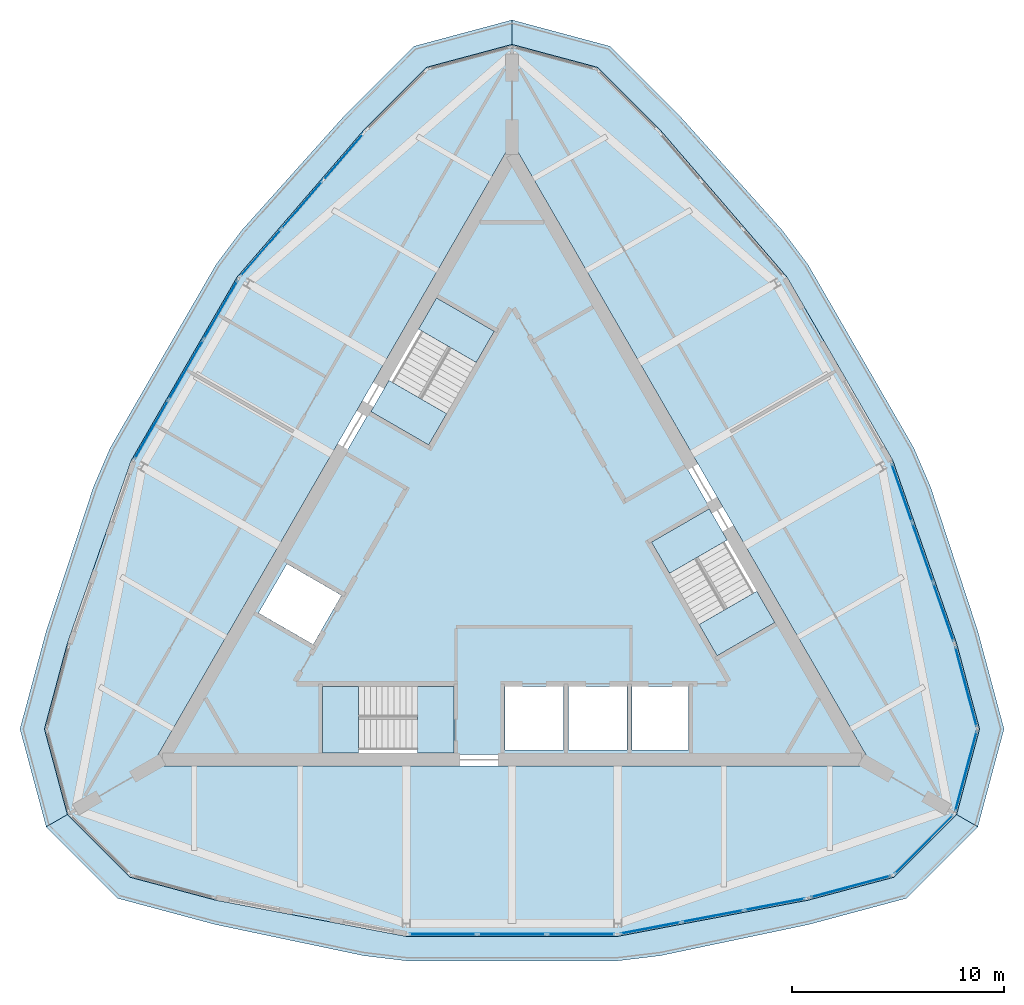
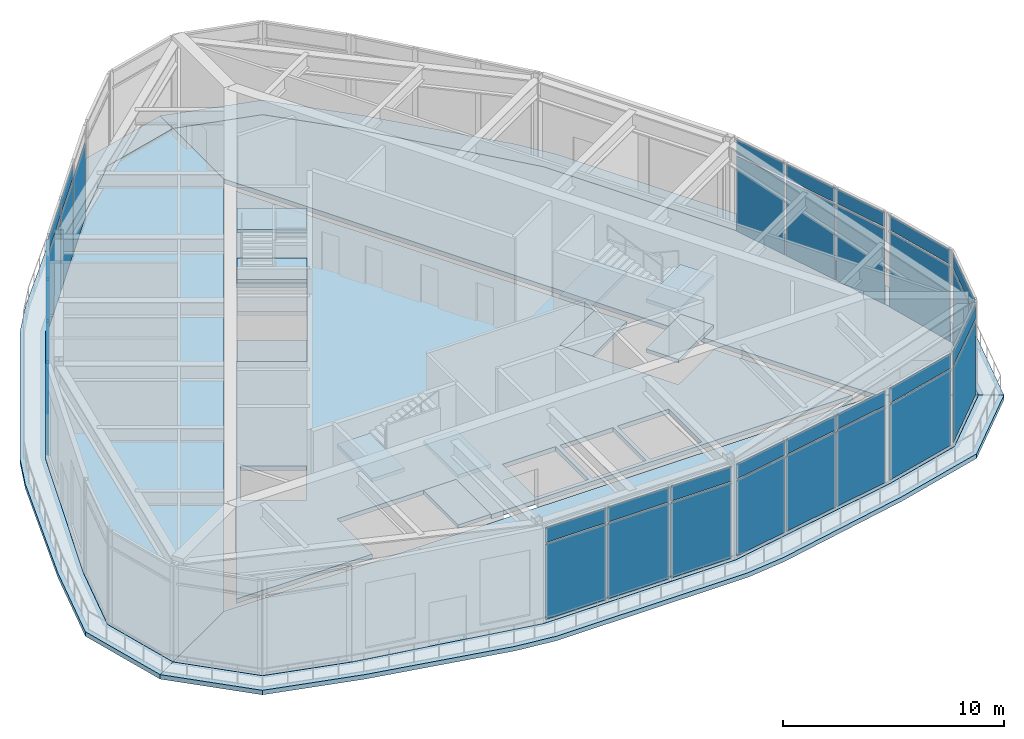
# One storey, part 4 of 9: 37 plates, 18 slabs, 12 elements without a shape of their own.
"""IFC4 building model written with IfcOpenShell, lengths in metres."""

from ifc_helpers import new_model, si_unit, direction, frame, origin, origin_2d, place, context, subcontext, project, spatial, polyline, rectangle, outline, extrude, material, layer, layer_set, type_object, element, aggregate, save


model = new_model("IFC4")

# Units and contexts
model_context = context("Model", 3, precision=1e-05, world=origin(), true_north=direction((0.0, 1.0)))
body_context = subcontext(model_context, "Body", "Model", "MODEL_VIEW")
ifc_project = project(units=[si_unit("LENGTHUNIT", "METRE"), si_unit("AREAUNIT", "SQUARE_METRE"), si_unit("VOLUMEUNIT", "CUBIC_METRE"), si_unit("PLANEANGLEUNIT", "RADIAN"), si_unit("MASSUNIT", "GRAM", prefix="KILO")], contexts=[model_context])

# Site, building, storey
site_placement = place(None, origin())
site = spatial("IfcSite", under=ifc_project, at=site_placement, CompositionType="ELEMENT")
building_placement = place(site_placement, origin())
building = spatial("IfcBuilding", under=site, at=building_placement, Name="Trikona Tower", CompositionType="ELEMENT")
storey_placement = place(building_placement, frame((0.0, 0.0, 281.300048828125)))
storey = spatial("IfcBuildingStorey", under=building, at=storey_placement, Name="L74", CompositionType="ELEMENT", Elevation=281.300048828125)

# Slabs
ifc_material_1 = material(Name="Concrete f'c 5000 psi lightweight on composite steel deck", Category="concrete")
ifc_layer_1 = layer(ifc_material_1, 0.25)
ifc_layer_set_1 = layer_set([ifc_layer_1], Name="Composite floor slab 250")
slab_type_1 = type_object("IfcSlabType", Name="Composite floor slab 250", PredefinedType="FLOOR", material=ifc_layer_set_1)
slab_1_placement = place(storey_placement, frame((0.0, 0.0, -0.25)))
element("IfcSlab", 1, at=slab_1_placement, inside=storey, type_object=slab_type_1, Name="Floor slab L74 core", PredefinedType="FLOOR", context=body_context, shape_type="SweptSolid", body=[
    extrude(outline(polyline([(-16.06689453125, -9.2763671875), (-8.949951171875, -9.2763671875), (-8.949951171875, -6.076416015625), (-2.75, -6.076416015625), (-2.75, -9.2763671875), (16.06689453125, -9.2763671875), (12.45849609375, -3.026123046875), (9.687255859375, -4.626220703125), (6.587158203125, 0.7431640625), (9.3583984375, 2.34326171875), (0.0, 18.552490234375), (-3.6083984375, 12.302490234375), (-0.837158203125, 10.702392578125), (-3.937255859375, 5.3330078125), (-6.70849609375, 6.93310546875), (-16.06689453125, -9.2763671875)]), holes=[polyline([(5.659912109375, -9.06640625), (8.340087890625, -9.06640625), (8.340087890625, -6.086181640625), (5.659912109375, -6.086181640625), (5.659912109375, -9.06640625)]), polyline([(5.43994140625, -9.06640625), (5.43994140625, -6.086181640625), (2.659912109375, -6.086181640625), (2.659912109375, -9.06640625), (5.43994140625, -9.06640625)]), polyline([(2.43994140625, -6.086181640625), (-0.340087890625, -6.086181640625), (-0.340087890625, -9.06640625), (2.43994140625, -9.06640625), (2.43994140625, -6.086181640625)]), polyline([(-11.9716796875, -2.602783203125), (-9.390869140625, -4.093017578125), (-8.05078125, -1.77197265625), (-10.631591796875, -0.281982421875), (-11.9716796875, -2.602783203125)])]), origin(), (0.0, 0.0, 1.0), 0.25),
])
slab_2_placement = place(storey_placement, frame((0.0, 0.0, -0.25)))
element("IfcSlab", 2, at=slab_2_placement, inside=storey, type_object=slab_type_1, Name="Floor slab L74 south", PredefinedType="FLOOR", context=body_context, shape_type="SweptSolid", body=[
    extrude(outline(polyline([(21.0, -12.12451171875), (17.01953125, -9.826416015625), (-17.01953125, -9.826416015625), (-21.0, -12.12451171875), (-18.04150390625, -15.0830078125), (-14.0, -16.165771484375), (-5.0, -17.875732421875), (5.0, -17.875732421875), (14.0, -16.165771484375), (18.04150390625, -15.0830078125), (21.0, -12.12451171875)])), origin(), (0.0, 0.0, 1.0), 0.25),
])
slab_3_placement = place(storey_placement, frame((0.0, 0.0, -0.25)))
element("IfcSlab", 3, at=slab_3_placement, inside=storey, type_object=slab_type_1, Name="Floor slab L74 north-east", PredefinedType="FLOOR", context=body_context, shape_type="SweptSolid", body=[
    extrude(outline(polyline([(4.04150390625, 23.165771484375), (0.0, 24.248779296875), (0.0, 19.652587890625), (17.01953125, -9.826416015625), (21.0, -12.12451171875), (22.0830078125, -8.0830078125), (21.0, -4.04150390625), (17.98095703125, 4.60791015625), (12.98095703125, 13.26806640625), (7.0, 20.207275390625), (4.04150390625, 23.165771484375)])), origin(), (0.0, 0.0, 1.0), 0.25),
])
slab_4_placement = place(storey_placement, frame((0.0, 0.0, -0.25)))
element("IfcSlab", 4, at=slab_4_placement, inside=storey, type_object=slab_type_1, Name="Floor slab L74 north-west", PredefinedType="FLOOR", context=body_context, shape_type="SweptSolid", body=[
    extrude(outline(polyline([(0.0, 19.652587890625), (0.0, 24.248779296875), (-4.04150390625, 23.165771484375), (-7.0, 20.207275390625), (-12.98095703125, 13.26806640625), (-17.98095703125, 4.60791015625), (-21.0, -4.04150390625), (-22.0830078125, -8.0830078125), (-21.0, -12.12451171875), (-17.01953125, -9.826416015625), (0.0, 19.652587890625)])), origin(), (0.0, 0.0, 1.0), 0.25),
])

# Curtain wall, plates
ifc_material_2 = material(Name="Aluminium curtain wall system", Category="aluminium")
curtain_wall_type = type_object("IfcCurtainWallType", Name="Curtain wall OB", PredefinedType="NOTDEFINED", material=ifc_material_2)
curtain_wall_1_placement = place(storey_placement, origin())
curtain_wall_1 = element("IfcCurtainWall", 5, at=curtain_wall_1_placement, inside=storey, type_object=curtain_wall_type, Name="Curtain wall OB L74", PredefinedType="NOTDEFINED")
ifc_material_3 = material(Name="Clear insulating glass unit", Category="glass")
ifc_layer_2 = layer(ifc_material_3, 0.028076171875)
ifc_layer_set_2 = layer_set([ifc_layer_2], Name="Glass panel OB")
plate_type = type_object("IfcPlateType", Name="Glass panel OB", PredefinedType="CURTAIN_PANEL", material=ifc_layer_set_2)
plate_1_placement = place(storey_placement, frame((-3.268310546875, -17.77587890625, 0.10009765625), z_axis=(0.0, 0.0, 1.0), x_axis=(1.0, 0.0, 0.0)))
plate_1 = element("IfcPlate", 6, at=plate_1_placement, type_object=plate_type, Name="CW-OB panel 1.1", PredefinedType="CURTAIN_PANEL", context=body_context, shape_type="SweptSolid", body=[
    extrude(rectangle(XDim=3.143310546875, YDim=0.028076171875, at=origin_2d()), origin(), (0.0, 0.0, 1.0), 4.14990234375),
])
plate_2_placement = place(storey_placement, frame((-3.268310546875, -17.77587890625, 4.35009765625), z_axis=(0.0, 0.0, 1.0), x_axis=(1.0, 0.0, 0.0)))
plate_2 = element("IfcPlate", 7, at=plate_2_placement, type_object=plate_type, Name="CW-OB panel 1.2", PredefinedType="CURTAIN_PANEL", context=body_context, shape_type="SweptSolid", body=[
    extrude(rectangle(XDim=3.143310546875, YDim=0.028076171875, at=origin_2d()), origin(), (0.0, 0.0, 1.0), 0.800048828125),
])
plate_3_placement = place(storey_placement, frame((0.0, -17.77587890625, 0.10009765625), z_axis=(0.0, 0.0, 1.0), x_axis=(1.0, 0.0, 0.0)))
plate_3 = element("IfcPlate", 8, at=plate_3_placement, type_object=plate_type, Name="CW-OB panel 2.1", PredefinedType="CURTAIN_PANEL", context=body_context, shape_type="SweptSolid", body=[
    extrude(rectangle(XDim=3.193359375, YDim=0.028076171875, at=origin_2d()), origin(), (0.0, 0.0, 1.0), 4.14990234375),
])
plate_4_placement = place(storey_placement, frame((0.0, -17.77587890625, 4.35009765625), z_axis=(0.0, 0.0, 1.0), x_axis=(1.0, 0.0, 0.0)))
plate_4 = element("IfcPlate", 9, at=plate_4_placement, type_object=plate_type, Name="CW-OB panel 2.2", PredefinedType="CURTAIN_PANEL", context=body_context, shape_type="SweptSolid", body=[
    extrude(rectangle(XDim=3.193359375, YDim=0.028076171875, at=origin_2d()), origin(), (0.0, 0.0, 1.0), 0.800048828125),
])
plate_5_placement = place(storey_placement, frame((3.268310546875, -17.77587890625, 0.10009765625), z_axis=(0.0, 0.0, 1.0), x_axis=(1.0, 0.0, 0.0)))
plate_5 = element("IfcPlate", 10, at=plate_5_placement, type_object=plate_type, Name="CW-OB panel 3.1", PredefinedType="CURTAIN_PANEL", context=body_context, shape_type="SweptSolid", body=[
    extrude(rectangle(XDim=3.143310546875, YDim=0.028076171875, at=origin_2d()), origin(), (0.0, 0.0, 1.0), 4.14990234375),
])
plate_6_placement = place(storey_placement, frame((3.268310546875, -17.77587890625, 4.35009765625), z_axis=(0.0, 0.0, 1.0), x_axis=(1.0, 0.0, 0.0)))
plate_6 = element("IfcPlate", 11, at=plate_6_placement, type_object=plate_type, Name="CW-OB panel 3.2", PredefinedType="CURTAIN_PANEL", context=body_context, shape_type="SweptSolid", body=[
    extrude(rectangle(XDim=3.143310546875, YDim=0.028076171875, at=origin_2d()), origin(), (0.0, 0.0, 1.0), 0.800048828125),
])
aggregate(curtain_wall_1, [plate_1, plate_2, plate_3, plate_4, plate_5, plate_6])

curtain_wall_2_placement = place(storey_placement, origin())
curtain_wall_2 = element("IfcCurtainWall", 12, at=curtain_wall_2_placement, inside=storey, type_object=curtain_wall_type, Name="Curtain wall OB L74", PredefinedType="NOTDEFINED")
plate_7_placement = place(storey_placement, frame((6.545166015625, -17.48046875, 0.10009765625), z_axis=(0.0, 0.0, 1.0), x_axis=(0.982424431419, 0.186660752571, 0.0)))
plate_7 = element("IfcPlate", 13, at=plate_7_placement, type_object=plate_type, Name="CW-OB panel 1.1", PredefinedType="CURTAIN_PANEL", context=body_context, shape_type="SweptSolid", body=[
    extrude(rectangle(XDim=2.86376953125, YDim=0.028076171875, at=origin_2d()), origin(), (0.0, 0.0, 1.0), 4.14990234375),
])
plate_8_placement = place(storey_placement, frame((6.545166015625, -17.48046875, 4.35009765625), z_axis=(0.0, 0.0, 1.0), x_axis=(0.982424431419, 0.186660752571, 0.0)))
plate_8 = element("IfcPlate", 14, at=plate_8_placement, type_object=plate_type, Name="CW-OB panel 1.2", PredefinedType="CURTAIN_PANEL", context=body_context, shape_type="SweptSolid", body=[
    extrude(rectangle(XDim=2.86376953125, YDim=0.028076171875, at=origin_2d()), origin(), (0.0, 0.0, 1.0), 0.800048828125),
])
plate_9_placement = place(storey_placement, frame((9.4814453125, -16.922607421875, 0.10009765625), z_axis=(0.0, 0.0, 1.0), x_axis=(0.982424431419, 0.186660752571, 0.0)))
plate_9 = element("IfcPlate", 15, at=plate_9_placement, type_object=plate_type, Name="CW-OB panel 2.1", PredefinedType="CURTAIN_PANEL", context=body_context, shape_type="SweptSolid", body=[
    extrude(rectangle(XDim=2.91357421875, YDim=0.028076171875, at=origin_2d()), origin(), (0.0, 0.0, 1.0), 4.14990234375),
])
plate_10_placement = place(storey_placement, frame((9.4814453125, -16.922607421875, 4.35009765625), z_axis=(0.0, 0.0, 1.0), x_axis=(0.982424431419, 0.186660752571, 0.0)))
plate_10 = element("IfcPlate", 16, at=plate_10_placement, type_object=plate_type, Name="CW-OB panel 2.2", PredefinedType="CURTAIN_PANEL", context=body_context, shape_type="SweptSolid", body=[
    extrude(rectangle(XDim=2.91357421875, YDim=0.028076171875, at=origin_2d()), origin(), (0.0, 0.0, 1.0), 0.800048828125),
])
plate_11_placement = place(storey_placement, frame((12.41748046875, -16.36474609375, 0.10009765625), z_axis=(0.0, 0.0, 1.0), x_axis=(0.982424431419, 0.186660752571, 0.0)))
plate_11 = element("IfcPlate", 17, at=plate_11_placement, type_object=plate_type, Name="CW-OB panel 3.1", PredefinedType="CURTAIN_PANEL", context=body_context, shape_type="SweptSolid", body=[
    extrude(rectangle(XDim=2.86376953125, YDim=0.028076171875, at=origin_2d()), origin(), (0.0, 0.0, 1.0), 4.14990234375),
])
plate_12_placement = place(storey_placement, frame((12.41748046875, -16.36474609375, 4.35009765625), z_axis=(0.0, 0.0, 1.0), x_axis=(0.982424431419, 0.186660752571, 0.0)))
plate_12 = element("IfcPlate", 18, at=plate_12_placement, type_object=plate_type, Name="CW-OB panel 3.2", PredefinedType="CURTAIN_PANEL", context=body_context, shape_type="SweptSolid", body=[
    extrude(rectangle(XDim=2.86376953125, YDim=0.028076171875, at=origin_2d()), origin(), (0.0, 0.0, 1.0), 0.800048828125),
])
aggregate(curtain_wall_2, [plate_7, plate_8, plate_9, plate_10, plate_11, plate_12])

curtain_wall_3_placement = place(storey_placement, origin())
curtain_wall_3 = element("IfcCurtainWall", 19, at=curtain_wall_3_placement, inside=storey, type_object=curtain_wall_type, Name="Curtain wall OB L74", PredefinedType="NOTDEFINED")
plate_13_placement = place(storey_placement, frame((15.994873046875, -15.52783203125, 0.10009765625), z_axis=(0.0, 0.0, 1.0), x_axis=(0.965923448705, 0.258827918204, 0.0)))
plate_13 = element("IfcPlate", 20, at=plate_13_placement, type_object=plate_type, Name="CW-OB panel 1.1", PredefinedType="CURTAIN_PANEL", context=body_context, shape_type="SweptSolid", body=[
    extrude(rectangle(XDim=3.864013671875, YDim=0.028076171875, at=origin_2d()), origin(), (0.0, 0.0, 1.0), 4.14990234375),
])
plate_14_placement = place(storey_placement, frame((15.994873046875, -15.52783203125, 4.35009765625), z_axis=(0.0, 0.0, 1.0), x_axis=(0.965923448705, 0.258827918204, 0.0)))
plate_14 = element("IfcPlate", 21, at=plate_14_placement, type_object=plate_type, Name="CW-OB panel 1.2", PredefinedType="CURTAIN_PANEL", context=body_context, shape_type="SweptSolid", body=[
    extrude(rectangle(XDim=3.864013671875, YDim=0.028076171875, at=origin_2d()), origin(), (0.0, 0.0, 1.0), 0.800048828125),
])
aggregate(curtain_wall_3, [plate_13, plate_14])

curtain_wall_4_placement = place(storey_placement, origin())
curtain_wall_4 = element("IfcCurtainWall", 22, at=curtain_wall_4_placement, inside=storey, type_object=curtain_wall_type, Name="Curtain wall OB L74", PredefinedType="NOTDEFINED")
plate_15_placement = place(storey_placement, frame((19.449951171875, -13.532958984375, 0.10009765625), z_axis=(0.0, 0.0, 1.0), x_axis=(0.707106781187, 0.707106781187, 0.0)))
plate_15 = element("IfcPlate", 23, at=plate_15_placement, type_object=plate_type, Name="CW-OB panel 1.1", PredefinedType="CURTAIN_PANEL", context=body_context, shape_type="SweptSolid", body=[
    extrude(rectangle(XDim=3.864013671875, YDim=0.028076171875, at=origin_2d()), origin(), (0.0, 0.0, 1.0), 4.14990234375),
])
plate_16_placement = place(storey_placement, frame((19.449951171875, -13.532958984375, 4.35009765625), z_axis=(0.0, 0.0, 1.0), x_axis=(0.707106781187, 0.707106781187, 0.0)))
plate_16 = element("IfcPlate", 24, at=plate_16_placement, type_object=plate_type, Name="CW-OB panel 1.2", PredefinedType="CURTAIN_PANEL", context=body_context, shape_type="SweptSolid", body=[
    extrude(rectangle(XDim=3.864013671875, YDim=0.028076171875, at=origin_2d()), origin(), (0.0, 0.0, 1.0), 0.800048828125),
])
aggregate(curtain_wall_4, [plate_15, plate_16])

curtain_wall_5_placement = place(storey_placement, origin())
curtain_wall_5 = element("IfcCurtainWall", 25, at=curtain_wall_5_placement, inside=storey, type_object=curtain_wall_type, Name="Curtain wall OB L74", PredefinedType="NOTDEFINED")
plate_17_placement = place(storey_placement, frame((21.44482421875, -10.077880859375, 0.10009765625), z_axis=(0.0, 0.0, 1.0), x_axis=(0.258827918204, 0.965923448705, 0.0)))
plate_17 = element("IfcPlate", 26, at=plate_17_placement, type_object=plate_type, Name="CW-OB panel 1.1", PredefinedType="CURTAIN_PANEL", context=body_context, shape_type="SweptSolid", body=[
    extrude(rectangle(XDim=3.864013671875, YDim=0.028076171875, at=origin_2d()), origin(), (0.0, 0.0, 1.0), 4.14990234375),
])
plate_18_placement = place(storey_placement, frame((21.44482421875, -10.077880859375, 4.35009765625), z_axis=(0.0, 0.0, 1.0), x_axis=(0.258827918204, 0.965923448705, 0.0)))
plate_18 = element("IfcPlate", 27, at=plate_18_placement, type_object=plate_type, Name="CW-OB panel 1.2", PredefinedType="CURTAIN_PANEL", context=body_context, shape_type="SweptSolid", body=[
    extrude(rectangle(XDim=3.864013671875, YDim=0.028076171875, at=origin_2d()), origin(), (0.0, 0.0, 1.0), 0.800048828125),
])
aggregate(curtain_wall_5, [plate_17, plate_18])

curtain_wall_6_placement = place(storey_placement, origin())
curtain_wall_6 = element("IfcCurtainWall", 28, at=curtain_wall_6_placement, inside=storey, type_object=curtain_wall_type, Name="Curtain wall OB L74", PredefinedType="NOTDEFINED")
plate_19_placement = place(storey_placement, frame((21.44482421875, -6.088134765625, 0.10009765625), z_axis=(0.0, 0.0, 1.0), x_axis=(-0.258834069983, 0.965921800259, 0.0)))
plate_19 = element("IfcPlate", 29, at=plate_19_placement, type_object=plate_type, Name="CW-OB panel 1.1", PredefinedType="CURTAIN_PANEL", context=body_context, shape_type="SweptSolid", body=[
    extrude(rectangle(XDim=3.864013671875, YDim=0.028076171875, at=origin_2d()), origin(), (0.0, 0.0, 1.0), 4.14990234375),
])
plate_20_placement = place(storey_placement, frame((21.44482421875, -6.088134765625, 4.35009765625), z_axis=(0.0, 0.0, 1.0), x_axis=(-0.258834069983, 0.965921800259, 0.0)))
plate_20 = element("IfcPlate", 30, at=plate_20_placement, type_object=plate_type, Name="CW-OB panel 1.2", PredefinedType="CURTAIN_PANEL", context=body_context, shape_type="SweptSolid", body=[
    extrude(rectangle(XDim=3.864013671875, YDim=0.028076171875, at=origin_2d()), origin(), (0.0, 0.0, 1.0), 0.800048828125),
])
aggregate(curtain_wall_6, [plate_19, plate_20])

curtain_wall_7_placement = place(storey_placement, origin())
curtain_wall_7 = element("IfcCurtainWall", 31, at=curtain_wall_7_placement, inside=storey, type_object=curtain_wall_type, Name="Curtain wall OB L74", PredefinedType="NOTDEFINED")
plate_21_placement = place(storey_placement, frame((20.380859375, -2.571533203125, 0.10009765625), z_axis=(0.0, 0.0, 1.0), x_axis=(-0.329552165935, 0.944137368145, 0.0)))
plate_21 = element("IfcPlate", 32, at=plate_21_placement, type_object=plate_type, Name="CW-OB panel 1.1", PredefinedType="CURTAIN_PANEL", context=body_context, shape_type="SweptSolid", body=[
    extrude(rectangle(XDim=2.86376953125, YDim=0.028076171875, at=origin_2d()), origin(), (0.0, 0.0, 1.0), 4.14990234375),
])
plate_22_placement = place(storey_placement, frame((20.380859375, -2.571533203125, 4.35009765625), z_axis=(0.0, 0.0, 1.0), x_axis=(-0.329552165935, 0.944137368145, 0.0)))
plate_22 = element("IfcPlate", 33, at=plate_22_placement, type_object=plate_type, Name="CW-OB panel 1.2", PredefinedType="CURTAIN_PANEL", context=body_context, shape_type="SweptSolid", body=[
    extrude(rectangle(XDim=2.86376953125, YDim=0.028076171875, at=origin_2d()), origin(), (0.0, 0.0, 1.0), 0.800048828125),
])
plate_23_placement = place(storey_placement, frame((19.39599609375, 0.250244140625, 0.10009765625), z_axis=(0.0, 0.0, 1.0), x_axis=(-0.329552165935, 0.944137368145, 0.0)))
plate_23 = element("IfcPlate", 34, at=plate_23_placement, type_object=plate_type, Name="CW-OB panel 2.1", PredefinedType="CURTAIN_PANEL", context=body_context, shape_type="SweptSolid", body=[
    extrude(rectangle(XDim=2.91357421875, YDim=0.028076171875, at=origin_2d()), origin(), (0.0, 0.0, 1.0), 4.14990234375),
])
plate_24_placement = place(storey_placement, frame((19.39599609375, 0.250244140625, 4.35009765625), z_axis=(0.0, 0.0, 1.0), x_axis=(-0.329552165935, 0.944137368145, 0.0)))
plate_24 = element("IfcPlate", 35, at=plate_24_placement, type_object=plate_type, Name="CW-OB panel 2.2", PredefinedType="CURTAIN_PANEL", context=body_context, shape_type="SweptSolid", body=[
    extrude(rectangle(XDim=2.91357421875, YDim=0.028076171875, at=origin_2d()), origin(), (0.0, 0.0, 1.0), 0.800048828125),
])
plate_25_placement = place(storey_placement, frame((18.4111328125, 3.072021484375, 0.10009765625), z_axis=(0.0, 0.0, 1.0), x_axis=(-0.329552165935, 0.944137368145, 0.0)))
plate_25 = element("IfcPlate", 36, at=plate_25_placement, type_object=plate_type, Name="CW-OB panel 3.1", PredefinedType="CURTAIN_PANEL", context=body_context, shape_type="SweptSolid", body=[
    extrude(rectangle(XDim=2.86376953125, YDim=0.028076171875, at=origin_2d()), origin(), (0.0, 0.0, 1.0), 4.14990234375),
])
plate_26_placement = place(storey_placement, frame((18.4111328125, 3.072021484375, 4.35009765625), z_axis=(0.0, 0.0, 1.0), x_axis=(-0.329552165935, 0.944137368145, 0.0)))
plate_26 = element("IfcPlate", 37, at=plate_26_placement, type_object=plate_type, Name="CW-OB panel 3.2", PredefinedType="CURTAIN_PANEL", context=body_context, shape_type="SweptSolid", body=[
    extrude(rectangle(XDim=2.86376953125, YDim=0.028076171875, at=origin_2d()), origin(), (0.0, 0.0, 1.0), 0.800048828125),
])
aggregate(curtain_wall_7, [plate_21, plate_22, plate_23, plate_24, plate_25, plate_26])

curtain_wall_8_placement = place(storey_placement, origin())
curtain_wall_8 = element("IfcCurtainWall", 38, at=curtain_wall_8_placement, inside=storey, type_object=curtain_wall_type, Name="Curtain wall OB L74", PredefinedType="NOTDEFINED")
plate_27_placement = place(storey_placement, frame((-7.96337890625, 18.936279296875, 0.10009765625), z_axis=(0.0, 0.0, 1.0), x_axis=(-0.652863914707, -0.757475219973, 0.0)))
plate_27 = element("IfcPlate", 39, at=plate_27_placement, type_object=plate_type, Name="CW-OB panel 1.1", PredefinedType="CURTAIN_PANEL", context=body_context, shape_type="SweptSolid", body=[
    extrude(rectangle(XDim=2.86376953125, YDim=0.028076171875, at=origin_2d()), origin(), (0.0, 0.0, 1.0), 4.14990234375),
])
plate_28_placement = place(storey_placement, frame((-9.914794921875, 16.67236328125, 0.10009765625), z_axis=(0.0, 0.0, 1.0), x_axis=(-0.652863914707, -0.757475219973, 0.0)))
plate_28 = element("IfcPlate", 40, at=plate_28_placement, type_object=plate_type, Name="CW-OB panel 2.1", PredefinedType="CURTAIN_PANEL", context=body_context, shape_type="SweptSolid", body=[
    extrude(rectangle(XDim=2.91357421875, YDim=0.028076171875, at=origin_2d()), origin(), (0.0, 0.0, 1.0), 4.14990234375),
])
plate_29_placement = place(storey_placement, frame((-9.914794921875, 16.67236328125, 4.35009765625), z_axis=(0.0, 0.0, 1.0), x_axis=(-0.652863914707, -0.757475219973, 0.0)))
plate_29 = element("IfcPlate", 41, at=plate_29_placement, type_object=plate_type, Name="CW-OB panel 2.2", PredefinedType="CURTAIN_PANEL", context=body_context, shape_type="SweptSolid", body=[
    extrude(rectangle(XDim=2.91357421875, YDim=0.028076171875, at=origin_2d()), origin(), (0.0, 0.0, 1.0), 0.800048828125),
])
plate_30_placement = place(storey_placement, frame((-11.865966796875, 14.408447265625, 0.10009765625), z_axis=(0.0, 0.0, 1.0), x_axis=(-0.652863914707, -0.757475219973, 0.0)))
plate_30 = element("IfcPlate", 42, at=plate_30_placement, type_object=plate_type, Name="CW-OB panel 3.1", PredefinedType="CURTAIN_PANEL", context=body_context, shape_type="SweptSolid", body=[
    extrude(rectangle(XDim=2.86376953125, YDim=0.028076171875, at=origin_2d()), origin(), (0.0, 0.0, 1.0), 4.14990234375),
])
plate_31_placement = place(storey_placement, frame((-11.865966796875, 14.408447265625, 4.35009765625), z_axis=(0.0, 0.0, 1.0), x_axis=(-0.652863914707, -0.757475219973, 0.0)))
plate_31 = element("IfcPlate", 43, at=plate_31_placement, type_object=plate_type, Name="CW-OB panel 3.2", PredefinedType="CURTAIN_PANEL", context=body_context, shape_type="SweptSolid", body=[
    extrude(rectangle(XDim=2.86376953125, YDim=0.028076171875, at=origin_2d()), origin(), (0.0, 0.0, 1.0), 0.800048828125),
])
aggregate(curtain_wall_8, [plate_27, plate_28, plate_29, plate_30, plate_31])

curtain_wall_9_placement = place(storey_placement, origin())
curtain_wall_9 = element("IfcCurtainWall", 44, at=curtain_wall_9_placement, inside=storey, type_object=curtain_wall_type, Name="Curtain wall OB L74", PredefinedType="NOTDEFINED")
plate_32_placement = place(storey_placement, frame((-13.76025390625, 11.71826171875, 0.10009765625), z_axis=(0.0, 0.0, 1.0), x_axis=(-0.500005740951, -0.866022089219, 0.0)))
plate_32 = element("IfcPlate", 45, at=plate_32_placement, type_object=plate_type, Name="CW-OB panel 1.1", PredefinedType="CURTAIN_PANEL", context=body_context, shape_type="SweptSolid", body=[
    extrude(rectangle(XDim=3.143310546875, YDim=0.028076171875, at=origin_2d()), origin(), (0.0, 0.0, 1.0), 4.14990234375),
])
plate_33_placement = place(storey_placement, frame((-13.76025390625, 11.71826171875, 4.35009765625), z_axis=(0.0, 0.0, 1.0), x_axis=(-0.500005740951, -0.866022089219, 0.0)))
plate_33 = element("IfcPlate", 46, at=plate_33_placement, type_object=plate_type, Name="CW-OB panel 1.2", PredefinedType="CURTAIN_PANEL", context=body_context, shape_type="SweptSolid", body=[
    extrude(rectangle(XDim=3.143310546875, YDim=0.028076171875, at=origin_2d()), origin(), (0.0, 0.0, 1.0), 0.800048828125),
])
plate_34_placement = place(storey_placement, frame((-15.394287109375, 8.887939453125, 0.10009765625), z_axis=(0.0, 0.0, 1.0), x_axis=(-0.500005740951, -0.866022089219, 0.0)))
plate_34 = element("IfcPlate", 47, at=plate_34_placement, type_object=plate_type, Name="CW-OB panel 2.1", PredefinedType="CURTAIN_PANEL", context=body_context, shape_type="SweptSolid", body=[
    extrude(rectangle(XDim=3.193359375, YDim=0.028076171875, at=origin_2d()), origin(), (0.0, 0.0, 1.0), 4.14990234375),
])
plate_35_placement = place(storey_placement, frame((-15.394287109375, 8.887939453125, 4.35009765625), z_axis=(0.0, 0.0, 1.0), x_axis=(-0.500005740951, -0.866022089219, 0.0)))
plate_35 = element("IfcPlate", 48, at=plate_35_placement, type_object=plate_type, Name="CW-OB panel 2.2", PredefinedType="CURTAIN_PANEL", context=body_context, shape_type="SweptSolid", body=[
    extrude(rectangle(XDim=3.193359375, YDim=0.028076171875, at=origin_2d()), origin(), (0.0, 0.0, 1.0), 0.800048828125),
])
plate_36_placement = place(storey_placement, frame((-17.028564453125, 6.057373046875, 0.10009765625), z_axis=(0.0, 0.0, 1.0), x_axis=(-0.500005740951, -0.866022089219, 0.0)))
plate_36 = element("IfcPlate", 49, at=plate_36_placement, type_object=plate_type, Name="CW-OB panel 3.1", PredefinedType="CURTAIN_PANEL", context=body_context, shape_type="SweptSolid", body=[
    extrude(rectangle(XDim=3.143310546875, YDim=0.028076171875, at=origin_2d()), origin(), (0.0, 0.0, 1.0), 4.14990234375),
])
plate_37_placement = place(storey_placement, frame((-17.028564453125, 6.057373046875, 4.35009765625), z_axis=(0.0, 0.0, 1.0), x_axis=(-0.500005740951, -0.866022089219, 0.0)))
plate_37 = element("IfcPlate", 50, at=plate_37_placement, type_object=plate_type, Name="CW-OB panel 3.2", PredefinedType="CURTAIN_PANEL", context=body_context, shape_type="SweptSolid", body=[
    extrude(rectangle(XDim=3.143310546875, YDim=0.028076171875, at=origin_2d()), origin(), (0.0, 0.0, 1.0), 0.800048828125),
])
aggregate(curtain_wall_9, [plate_32, plate_33, plate_34, plate_35, plate_36, plate_37])

# Stair, slabs
ifc_material_4 = material(Name="Concrete f'c 5000 psi", Category="concrete")
stair_type = type_object("IfcStairType", Name="Core stair", PredefinedType="HALF_TURN_STAIR", material=ifc_material_4)
stair_1_placement = place(storey_placement, origin())
stair_1 = element("IfcStair", 51, at=stair_1_placement, inside=storey, type_object=stair_type, Name="Stair A L74", PredefinedType="HALF_TURN_STAIR")
ifc_material_5 = material(Name="Concrete f'c 5000 psi", Category="concrete")
ifc_layer_3 = layer(ifc_material_5, 0.199951171875)
ifc_layer_set_3 = layer_set([ifc_layer_3], Name="Stair landing 200")
slab_type_2 = type_object("IfcSlabType", Name="Stair landing 200", PredefinedType="LANDING", material=ifc_layer_set_3)
slab_5_placement = place(storey_placement, frame((0.0, 0.0, -0.199951171875)))
slab_5 = element("IfcSlab", 52, at=slab_5_placement, type_object=slab_type_2, Name="ST-A landing 1", PredefinedType="LANDING", context=body_context, shape_type="SweptSolid", body=[
    extrude(outline(polyline([(-4.452880859375, -6.076416015625), (-2.75, -6.076416015625), (-2.75, -9.226318359375), (-4.452880859375, -9.226318359375), (-4.452880859375, -6.076416015625)])), origin(), (0.0, 0.0, 1.0), 0.199951171875),
])
slab_6_placement = place(storey_placement, frame((0.0, 0.0, 2.550048828125)))
slab_6 = element("IfcSlab", 53, at=slab_6_placement, type_object=slab_type_2, Name="ST-A landing 3", PredefinedType="LANDING", context=body_context, shape_type="SweptSolid", body=[
    extrude(outline(polyline([(-4.452880859375, -6.076416015625), (-2.75, -6.076416015625), (-2.75, -9.226318359375), (-4.452880859375, -9.226318359375), (-4.452880859375, -6.076416015625)])), origin(), (0.0, 0.0, 1.0), 0.199951171875),
])
slab_7_placement = place(storey_placement, frame((0.0, 0.0, 3.925048828125)))
slab_7 = element("IfcSlab", 54, at=slab_7_placement, type_object=slab_type_2, Name="ST-A landing 4", PredefinedType="LANDING", context=body_context, shape_type="SweptSolid", body=[
    extrude(outline(polyline([(-8.949951171875, -6.076416015625), (-7.2470703125, -6.076416015625), (-7.2470703125, -9.226318359375), (-8.949951171875, -9.226318359375), (-8.949951171875, -6.076416015625)])), origin(), (0.0, 0.0, 1.0), 0.199951171875),
])
aggregate(stair_1, [slab_5, slab_6, slab_7])

stair_2_placement = place(storey_placement, origin())
stair_2 = element("IfcStair", 55, at=stair_2_placement, inside=storey, type_object=stair_type, Name="Stair B L74", PredefinedType="HALF_TURN_STAIR")
slab_8_placement = place(storey_placement, frame((0.0, 0.0, -0.199951171875)))
slab_8 = element("IfcSlab", 56, at=slab_8_placement, type_object=slab_type_2, Name="ST-B landing 1", PredefinedType="LANDING", context=body_context, shape_type="SweptSolid", body=[
    extrude(outline(polyline([(7.438720703125, -0.731689453125), (6.587158203125, 0.7431640625), (9.315185546875, 2.318115234375), (10.166748046875, 0.84326171875), (7.438720703125, -0.731689453125)])), origin(), (0.0, 0.0, 1.0), 0.199951171875),
])
slab_9_placement = place(storey_placement, frame((0.0, 0.0, 1.175048828125)))
slab_9 = element("IfcSlab", 57, at=slab_9_placement, type_object=slab_type_2, Name="ST-B landing 2", PredefinedType="LANDING", context=body_context, shape_type="SweptSolid", body=[
    extrude(outline(polyline([(9.687255859375, -4.626220703125), (8.835693359375, -3.1513671875), (11.563720703125, -1.576416015625), (12.415283203125, -3.05126953125), (9.687255859375, -4.626220703125)])), origin(), (0.0, 0.0, 1.0), 0.199951171875),
])
slab_10_placement = place(storey_placement, frame((0.0, 0.0, 2.550048828125)))
slab_10 = element("IfcSlab", 58, at=slab_10_placement, type_object=slab_type_2, Name="ST-B landing 3", PredefinedType="LANDING", context=body_context, shape_type="SweptSolid", body=[
    extrude(outline(polyline([(7.438720703125, -0.731689453125), (6.587158203125, 0.7431640625), (9.315185546875, 2.318115234375), (10.166748046875, 0.84326171875), (7.438720703125, -0.731689453125)])), origin(), (0.0, 0.0, 1.0), 0.199951171875),
])
slab_11_placement = place(storey_placement, frame((0.0, 0.0, 3.925048828125)))
slab_11 = element("IfcSlab", 59, at=slab_11_placement, type_object=slab_type_2, Name="ST-B landing 4", PredefinedType="LANDING", context=body_context, shape_type="SweptSolid", body=[
    extrude(outline(polyline([(9.687255859375, -4.626220703125), (8.835693359375, -3.1513671875), (11.563720703125, -1.576416015625), (12.415283203125, -3.05126953125), (9.687255859375, -4.626220703125)])), origin(), (0.0, 0.0, 1.0), 0.199951171875),
])
aggregate(stair_2, [slab_8, slab_9, slab_10, slab_11])

stair_3_placement = place(storey_placement, origin())
stair_3 = element("IfcStair", 60, at=stair_3_placement, inside=storey, type_object=stair_type, Name="Stair C L74", PredefinedType="HALF_TURN_STAIR")
slab_12_placement = place(storey_placement, frame((0.0, 0.0, -0.199951171875)))
slab_12 = element("IfcSlab", 61, at=slab_12_placement, type_object=slab_type_2, Name="ST-C landing 1", PredefinedType="LANDING", context=body_context, shape_type="SweptSolid", body=[
    extrude(outline(polyline([(-3.085693359375, 6.807861328125), (-3.937255859375, 5.3330078125), (-6.665283203125, 6.908203125), (-5.813720703125, 8.3828125), (-3.085693359375, 6.807861328125)])), origin(), (0.0, 0.0, 1.0), 0.199951171875),
])
slab_13_placement = place(storey_placement, frame((0.0, 0.0, 1.175048828125)))
slab_13 = element("IfcSlab", 62, at=slab_13_placement, type_object=slab_type_2, Name="ST-C landing 2", PredefinedType="LANDING", context=body_context, shape_type="SweptSolid", body=[
    extrude(outline(polyline([(-0.837158203125, 10.702392578125), (-1.688720703125, 9.2275390625), (-4.416748046875, 10.802490234375), (-3.565185546875, 12.277587890625), (-0.837158203125, 10.702392578125)])), origin(), (0.0, 0.0, 1.0), 0.199951171875),
])
slab_14_placement = place(storey_placement, frame((0.0, 0.0, 2.550048828125)))
slab_14 = element("IfcSlab", 63, at=slab_14_placement, type_object=slab_type_2, Name="ST-C landing 3", PredefinedType="LANDING", context=body_context, shape_type="SweptSolid", body=[
    extrude(outline(polyline([(-3.085693359375, 6.807861328125), (-3.937255859375, 5.3330078125), (-6.665283203125, 6.908203125), (-5.813720703125, 8.3828125), (-3.085693359375, 6.807861328125)])), origin(), (0.0, 0.0, 1.0), 0.199951171875),
])
slab_15_placement = place(storey_placement, frame((0.0, 0.0, 3.925048828125)))
slab_15 = element("IfcSlab", 64, at=slab_15_placement, type_object=slab_type_2, Name="ST-C landing 4", PredefinedType="LANDING", context=body_context, shape_type="SweptSolid", body=[
    extrude(outline(polyline([(-0.837158203125, 10.702392578125), (-1.688720703125, 9.2275390625), (-4.416748046875, 10.802490234375), (-3.565185546875, 12.277587890625), (-0.837158203125, 10.702392578125)])), origin(), (0.0, 0.0, 1.0), 0.199951171875),
])
aggregate(stair_3, [slab_12, slab_13, slab_14, slab_15])

# Slabs
ifc_material_6 = material(Name="Concrete f'c 5000 psi on composite steel deck", Category="concrete")
ifc_layer_4 = layer(ifc_material_6, 0.25)
ifc_layer_set_4 = layer_set([ifc_layer_4], Name="Terrace slab 250")
slab_type_3 = type_object("IfcSlabType", Name="Terrace slab 250", PredefinedType="ROOF", material=ifc_layer_set_4)
slab_16_placement = place(storey_placement, frame((0.0, 0.0, -0.25)))
element("IfcSlab", 65, at=slab_16_placement, inside=storey, type_object=slab_type_3, Name="Terrace L74 south part 1", PredefinedType="ROOF", context=body_context, shape_type="SweptSolid", body=[
    extrude(outline(polyline([(-22.0, -12.70166015625), (-18.618896484375, -16.0830078125), (-14.0, -17.320556640625), (-7.0, -18.79052734375), (-5.0, -19.030517578125), (5.0, -19.030517578125), (7.0, -18.79052734375), (14.0, -17.320556640625), (18.618896484375, -16.0830078125), (22.0, -12.70166015625), (21.0009765625, -12.125), (18.0419921875, -15.083740234375), (14.000244140625, -16.166748046875), (5.0, -17.876708984375), (-5.0, -17.876708984375), (-14.000244140625, -16.166748046875), (-18.041748046875, -15.083984375), (-21.0009765625, -12.125), (-22.0, -12.70166015625)])), origin(), (0.0, 0.0, 1.0), 0.25),
])
slab_17_placement = place(storey_placement, frame((0.0, 0.0, -0.25)))
element("IfcSlab", 66, at=slab_17_placement, inside=storey, type_object=slab_type_3, Name="Terrace L74 north-east part 2", PredefinedType="ROOF", context=body_context, shape_type="SweptSolid", body=[
    extrude(outline(polyline([(4.618896484375, 24.165771484375), (0.0, 25.4033203125), (0.0, 24.249755859375), (4.0419921875, 23.166748046875), (7.000732421875, 20.2080078125), (12.981689453125, 13.2685546875), (17.981689453125, 4.6083984375), (21.0009765625, -4.041259765625), (22.083984375, -8.08251953125), (21.0009765625, -12.125), (22.0, -12.70166015625), (23.237548828125, -8.0830078125), (22.0, -3.464111328125), (19.773193359375, 3.3330078125), (18.98095703125, 5.18505859375), (13.98095703125, 13.845458984375), (12.773193359375, 15.45751953125), (8.0, 20.78466796875), (4.618896484375, 24.165771484375)])), origin(), (0.0, 0.0, 1.0), 0.25),
])
slab_18_placement = place(storey_placement, frame((0.0, 0.0, -0.25)))
element("IfcSlab", 67, at=slab_18_placement, inside=storey, type_object=slab_type_3, Name="Terrace L74 north-west part 3", PredefinedType="ROOF", context=body_context, shape_type="SweptSolid", body=[
    extrude(outline(polyline([(-22.0, -12.70166015625), (-21.0009765625, -12.125), (-22.083984375, -8.08251953125), (-21.0009765625, -4.041259765625), (-17.981689453125, 4.6083984375), (-12.981689453125, 13.2685546875), (-7.000732421875, 20.2080078125), (-4.0419921875, 23.166748046875), (0.0, 24.249755859375), (0.0, 25.4033203125), (-4.618896484375, 24.165771484375), (-8.0, 20.78466796875), (-12.773193359375, 15.45751953125), (-13.98095703125, 13.845458984375), (-18.98095703125, 5.18505859375), (-19.773193359375, 3.3330078125), (-22.0, -3.464111328125), (-23.237548828125, -8.0830078125), (-22.0, -12.70166015625)])), origin(), (0.0, 0.0, 1.0), 0.25),
])

save(model, "model.ifc")
